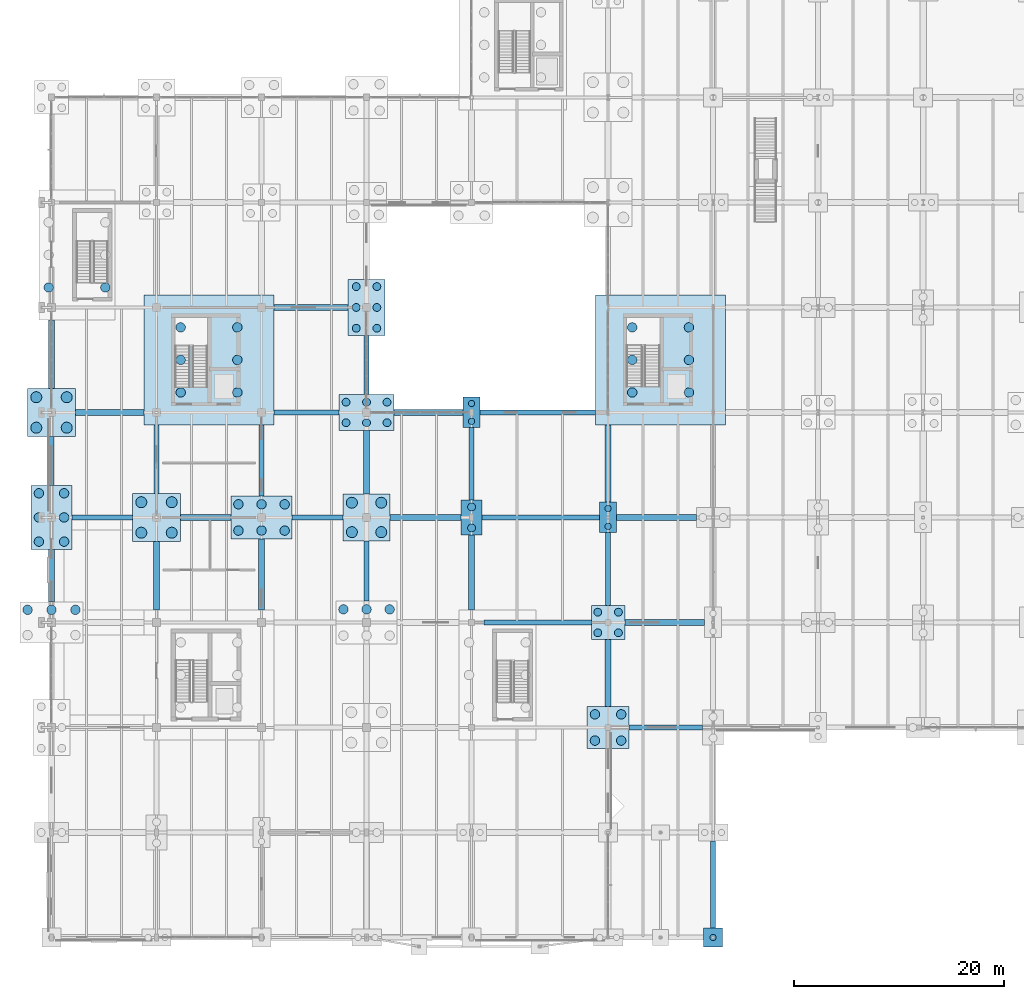
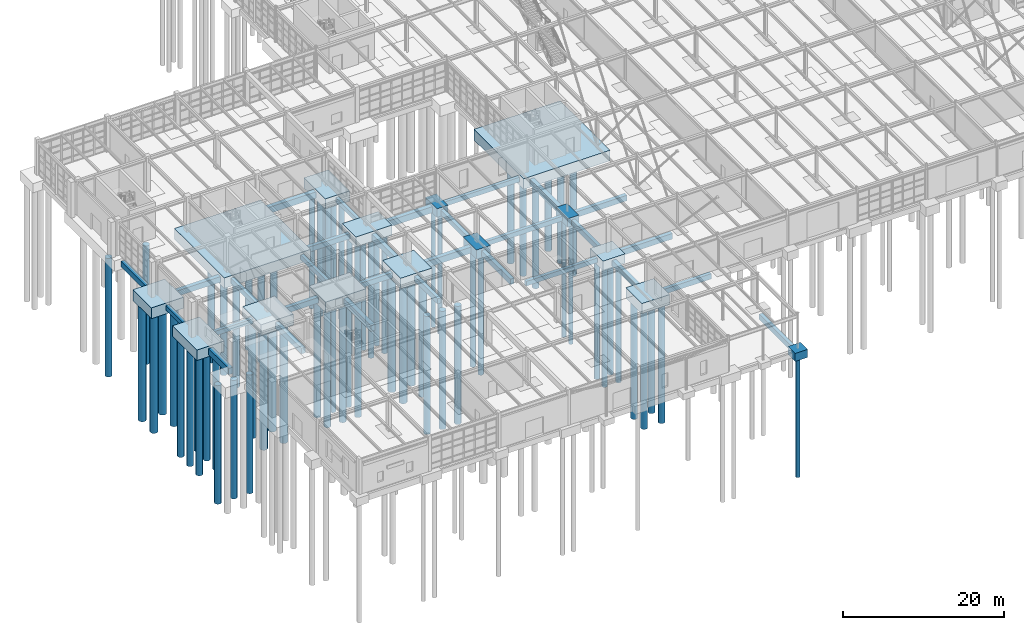
# One storey, part 2 of 145: 71 piles, 45 footings.
"""IFC4 building model written with IfcOpenShell, lengths in metres."""

from ifc_helpers import new_model, si_unit, direction, frame, origin, origin_2d, place, context, subcontext, project, spatial, rectangle, circle, extrude, material, material_profile, profile_set, type_object, element, save


model = new_model("IFC4")

# Units and contexts
model_context = context("Model", 3, precision=1e-05, world=origin(), true_north=direction((0.0, 1.0)))
body_context = subcontext(model_context, "Body", "Model", "MODEL_VIEW")
ifc_project = project(units=[si_unit("LENGTHUNIT", "METRE"), si_unit("AREAUNIT", "SQUARE_METRE"), si_unit("VOLUMEUNIT", "CUBIC_METRE"), si_unit("PLANEANGLEUNIT", "RADIAN"), si_unit("MASSUNIT", "GRAM", prefix="KILO"), si_unit("THERMODYNAMICTEMPERATUREUNIT", "KELVIN"), si_unit("POWERUNIT", "WATT")], contexts=[model_context])

# Site, building, storey
site_placement = place(None, origin())
site = spatial("IfcSite", under=ifc_project, at=site_placement, CompositionType="ELEMENT")
building_placement = place(site_placement, origin())
building = spatial("IfcBuilding", under=site, at=building_placement, Name="Korenveer Ferry Terminal", CompositionType="ELEMENT")
storey_placement = place(building_placement, origin())
storey = spatial("IfcBuildingStorey", under=building, at=storey_placement, Name="L00", CompositionType="ELEMENT", Elevation=0.0)

# Footings
ifc_material_1 = material(Name="Concrete C40/50", Category="concrete")
footing_type_1 = type_object("IfcFootingType", Name="STR-GB-01", PredefinedType="FOOTING_BEAM", material=ifc_material_1)
footing_1_placement = place(storey_placement, frame((58.5, 20.0, -1.14990234375), z_axis=(0.0, 0.0, 1.0), x_axis=(1.0, 0.0, 0.0)))
element("IfcFooting", 1, at=footing_1_placement, inside=storey, type_object=footing_type_1, Name="Ground tie beam 28", PredefinedType="FOOTING_BEAM", context=body_context, shape_type="SweptSolid", body=[
    extrude(rectangle(XDim=7.0, YDim=0.5, at=origin_2d()), origin(), (0.0, 0.0, 1.0), 0.800048828125),
])
footing_2_placement = place(storey_placement, frame((25.324951171875, 40.0, -1.14990234375), z_axis=(0.0, 0.0, 1.0), x_axis=(1.0, 0.0, 0.0)))
element("IfcFooting", 2, at=footing_2_placement, inside=storey, type_object=footing_type_1, Name="Ground tie beam 56", PredefinedType="FOOTING_BEAM", context=body_context, shape_type="SweptSolid", body=[
    extrude(rectangle(XDim=4.85009765625, YDim=0.5, at=origin_2d()), origin(), (0.0, 0.0, 1.0), 0.800048828125),
])
footing_3_placement = place(storey_placement, frame((24.300048828125, 50.0, -1.14990234375), z_axis=(0.0, 0.0, 1.0), x_axis=(1.0, 0.0, 0.0)))
element("IfcFooting", 3, at=footing_3_placement, inside=storey, type_object=footing_type_1, Name="Ground tie beam 72", PredefinedType="FOOTING_BEAM", context=body_context, shape_type="SweptSolid", body=[
    extrude(rectangle(XDim=6.199951171875, YDim=0.5, at=origin_2d()), origin(), (0.0, 0.0, 1.0), 0.800048828125),
])
footing_4_placement = place(storey_placement, frame((10.0, 45.550048828125, -1.14990234375), z_axis=(0.0, 0.0, 1.0), x_axis=(1.0, 0.0, 0.0)))
element("IfcFooting", 4, at=footing_4_placement, inside=storey, type_object=footing_type_1, Name="Ground tie beam 160", PredefinedType="FOOTING_BEAM", context=body_context, shape_type="SweptSolid", body=[
    extrude(rectangle(XDim=0.5, YDim=6.5, at=origin_2d()), origin(), (0.0, 0.0, 1.0), 0.800048828125),
])
footing_5_placement = place(storey_placement, frame((30.0, 34.89990234375, -1.14990234375), z_axis=(0.0, 0.0, 1.0), x_axis=(1.0, 0.0, 0.0)))
element("IfcFooting", 5, at=footing_5_placement, inside=storey, type_object=footing_type_1, Name="Ground tie beam 172", PredefinedType="FOOTING_BEAM", context=body_context, shape_type="SweptSolid", body=[
    extrude(rectangle(XDim=0.5, YDim=5.699951171875, at=origin_2d()), origin(), (0.0, 0.0, 1.0), 0.800048828125),
])
footing_6_placement = place(storey_placement, frame((40.0, 45.10009765625, -1.14990234375), z_axis=(0.0, 0.0, 1.0), x_axis=(1.0, 0.0, 0.0)))
element("IfcFooting", 6, at=footing_6_placement, inside=storey, type_object=footing_type_1, Name="Ground tie beam 180", PredefinedType="FOOTING_BEAM", context=body_context, shape_type="SweptSolid", body=[
    extrude(rectangle(XDim=0.5, YDim=6.89990234375, at=origin_2d()), origin(), (0.0, 0.0, 1.0), 0.800048828125),
])
footing_7_placement = place(storey_placement, frame((53.0, 35.074951171875, -1.14990234375), z_axis=(0.0, 0.0, 1.0), x_axis=(1.0, 0.0, 0.0)))
element("IfcFooting", 7, at=footing_7_placement, inside=storey, type_object=footing_type_1, Name="Ground tie beam 188", PredefinedType="FOOTING_BEAM", context=body_context, shape_type="SweptSolid", body=[
    extrude(rectangle(XDim=0.5, YDim=6.949951171875, at=origin_2d()), origin(), (0.0, 0.0, 1.0), 0.800048828125),
])
footing_8_placement = place(storey_placement, frame((63.0, 5.050048828125, -1.14990234375), z_axis=(0.0, 0.0, 1.0), x_axis=(1.0, 0.0, 0.0)))
element("IfcFooting", 8, at=footing_8_placement, inside=storey, type_object=footing_type_1, Name="Ground tie beam 196", PredefinedType="FOOTING_BEAM", context=body_context, shape_type="SweptSolid", body=[
    extrude(rectangle(XDim=0.5, YDim=8.300048828125, at=origin_2d()), origin(), (0.0, 0.0, 1.0), 0.800048828125),
])
footing_type_2 = type_object("IfcFootingType", Name="STR-GB-02", PredefinedType="FOOTING_BEAM", material=ifc_material_1)
footing_9_placement = place(storey_placement, frame((35.625, 40.0, -1.2998046875), z_axis=(0.0, 0.0, 1.0), x_axis=(1.0, 0.0, 0.0)))
element("IfcFooting", 9, at=footing_9_placement, inside=storey, type_object=footing_type_2, Name="Ground tie beam 57", PredefinedType="FOOTING_BEAM", context=body_context, shape_type="SweptSolid", body=[
    extrude(rectangle(XDim=6.75, YDim=0.60009765625, at=origin_2d()), origin(), (0.0, 0.0, 1.0), 0.949951171875),
])
footing_10_placement = place(storey_placement, frame((35.89990234375, 50.0, -1.2998046875), z_axis=(0.0, 0.0, 1.0), x_axis=(1.0, 0.0, 0.0)))
element("IfcFooting", 10, at=footing_10_placement, inside=storey, type_object=footing_type_2, Name="Ground tie beam 73", PredefinedType="FOOTING_BEAM", context=body_context, shape_type="SweptSolid", body=[
    extrude(rectangle(XDim=6.60009765625, YDim=0.60009765625, at=origin_2d()), origin(), (0.0, 0.0, 1.0), 0.949951171875),
])
footing_11_placement = place(storey_placement, frame((24.72509765625, 60.0, -1.2998046875), z_axis=(0.0, 0.0, 1.0), x_axis=(1.0, 0.0, 0.0)))
element("IfcFooting", 11, at=footing_11_placement, inside=storey, type_object=footing_type_2, Name="Ground tie beam 85", PredefinedType="FOOTING_BEAM", context=body_context, shape_type="SweptSolid", body=[
    extrude(rectangle(XDim=7.050048828125, YDim=0.60009765625, at=origin_2d()), origin(), (0.0, 0.0, 1.0), 0.949951171875),
])
footing_12_placement = place(storey_placement, frame((0.0, 34.449951171875, -1.2998046875), z_axis=(0.0, 0.0, 1.0), x_axis=(1.0, 0.0, 0.0)))
element("IfcFooting", 12, at=footing_12_placement, inside=storey, type_object=footing_type_2, Name="Ground tie beam 153", PredefinedType="FOOTING_BEAM", context=body_context, shape_type="SweptSolid", body=[
    extrude(rectangle(XDim=0.60009765625, YDim=5.0, at=origin_2d()), origin(), (0.0, 0.0, 1.0), 0.949951171875),
])
footing_13_placement = place(storey_placement, frame((20.0, 34.574951171875, -1.2998046875), z_axis=(0.0, 0.0, 1.0), x_axis=(1.0, 0.0, 0.0)))
element("IfcFooting", 13, at=footing_13_placement, inside=storey, type_object=footing_type_2, Name="Ground tie beam 165", PredefinedType="FOOTING_BEAM", context=body_context, shape_type="SweptSolid", body=[
    extrude(rectangle(XDim=0.60009765625, YDim=6.75, at=origin_2d()), origin(), (0.0, 0.0, 1.0), 0.949951171875),
])
footing_14_placement = place(storey_placement, frame((30.0, 45.27490234375, -1.2998046875), z_axis=(0.0, 0.0, 1.0), x_axis=(1.0, 0.0, 0.0)))
element("IfcFooting", 14, at=footing_14_placement, inside=storey, type_object=footing_type_2, Name="Ground tie beam 173", PredefinedType="FOOTING_BEAM", context=body_context, shape_type="SweptSolid", body=[
    extrude(rectangle(XDim=0.60009765625, YDim=6.050048828125, at=origin_2d()), origin(), (0.0, 0.0, 1.0), 0.949951171875),
])
footing_15_placement = place(storey_placement, frame((53.0, 45.125, -1.2998046875), z_axis=(0.0, 0.0, 1.0), x_axis=(1.0, 0.0, 0.0)))
element("IfcFooting", 15, at=footing_15_placement, inside=storey, type_object=footing_type_2, Name="Ground tie beam 189", PredefinedType="FOOTING_BEAM", context=body_context, shape_type="SweptSolid", body=[
    extrude(rectangle(XDim=0.60009765625, YDim=7.35009765625, at=origin_2d()), origin(), (0.0, 0.0, 1.0), 0.949951171875),
])
footing_type_3 = type_object("IfcFootingType", Name="STR-GB-03", PredefinedType="FOOTING_BEAM", material=ifc_material_1)
footing_16_placement = place(storey_placement, frame((46.300048828125, 30.0, -1.0498046875), z_axis=(0.0, 0.0, 1.0), x_axis=(1.0, 0.0, 0.0)))
element("IfcFooting", 16, at=footing_16_placement, inside=storey, type_object=footing_type_3, Name="Ground tie beam 42", PredefinedType="FOOTING_BEAM", context=body_context, shape_type="SweptSolid", body=[
    extrude(rectangle(XDim=10.199951171875, YDim=0.449951171875, at=origin_2d()), origin(), (0.0, 0.0, 1.0), 0.699951171875),
])
footing_17_placement = place(storey_placement, frame((4.824951171875, 40.0, -1.0498046875), z_axis=(0.0, 0.0, 1.0), x_axis=(1.0, 0.0, 0.0)))
element("IfcFooting", 17, at=footing_17_placement, inside=storey, type_object=footing_type_3, Name="Ground tie beam 54", PredefinedType="FOOTING_BEAM", context=body_context, shape_type="SweptSolid", body=[
    extrude(rectangle(XDim=5.75, YDim=0.449951171875, at=origin_2d()), origin(), (0.0, 0.0, 1.0), 0.699951171875),
])
footing_18_placement = place(storey_placement, frame((46.60009765625, 40.0, -1.0498046875), z_axis=(0.0, 0.0, 1.0), x_axis=(1.0, 0.0, 0.0)))
element("IfcFooting", 18, at=footing_18_placement, inside=storey, type_object=footing_type_3, Name="Ground tie beam 58", PredefinedType="FOOTING_BEAM", context=body_context, shape_type="SweptSolid", body=[
    extrude(rectangle(XDim=11.199951171875, YDim=0.449951171875, at=origin_2d()), origin(), (0.0, 0.0, 1.0), 0.699951171875),
])
footing_19_placement = place(storey_placement, frame((46.300048828125, 50.0, -1.0498046875), z_axis=(0.0, 0.0, 1.0), x_axis=(1.0, 0.0, 0.0)))
element("IfcFooting", 19, at=footing_19_placement, inside=storey, type_object=footing_type_3, Name="Ground tie beam 74", PredefinedType="FOOTING_BEAM", context=body_context, shape_type="SweptSolid", body=[
    extrude(rectangle(XDim=11.0, YDim=0.449951171875, at=origin_2d()), origin(), (0.0, 0.0, 1.0), 0.699951171875),
])
footing_20_placement = place(storey_placement, frame((0.0, 45.375, -1.0498046875), z_axis=(0.0, 0.0, 1.0), x_axis=(1.0, 0.0, 0.0)))
element("IfcFooting", 20, at=footing_20_placement, inside=storey, type_object=footing_type_3, Name="Ground tie beam 154", PredefinedType="FOOTING_BEAM", context=body_context, shape_type="SweptSolid", body=[
    extrude(rectangle(XDim=0.449951171875, YDim=4.64990234375, at=origin_2d()), origin(), (0.0, 0.0, 1.0), 0.699951171875),
])
footing_21_placement = place(storey_placement, frame((20.0, 45.425048828125, -1.0498046875), z_axis=(0.0, 0.0, 1.0), x_axis=(1.0, 0.0, 0.0)))
element("IfcFooting", 21, at=footing_21_placement, inside=storey, type_object=footing_type_3, Name="Ground tie beam 166", PredefinedType="FOOTING_BEAM", context=body_context, shape_type="SweptSolid", body=[
    extrude(rectangle(XDim=0.449951171875, YDim=6.75, at=origin_2d()), origin(), (0.0, 0.0, 1.0), 0.699951171875),
])
footing_22_placement = place(storey_placement, frame((30.0, 54.52490234375, -1.0498046875), z_axis=(0.0, 0.0, 1.0), x_axis=(1.0, 0.0, 0.0)))
element("IfcFooting", 22, at=footing_22_placement, inside=storey, type_object=footing_type_3, Name="Ground tie beam 174", PredefinedType="FOOTING_BEAM", context=body_context, shape_type="SweptSolid", body=[
    extrude(rectangle(XDim=0.449951171875, YDim=5.64990234375, at=origin_2d()), origin(), (0.0, 0.0, 1.0), 0.699951171875),
])
footing_type_4 = type_object("IfcFootingType", Name="STR-GB-04", PredefinedType="FOOTING_BEAM", material=ifc_material_1)
footing_23_placement = place(storey_placement, frame((58.39990234375, 30.0, -1.199951171875), z_axis=(0.0, 0.0, 1.0), x_axis=(1.0, 0.0, 0.0)))
element("IfcFooting", 23, at=footing_23_placement, inside=storey, type_object=footing_type_4, Name="Ground tie beam 43", PredefinedType="FOOTING_BEAM", context=body_context, shape_type="SweptSolid", body=[
    extrude(rectangle(XDim=7.60009765625, YDim=0.550048828125, at=origin_2d()), origin(), (0.0, 0.0, 1.0), 0.85009765625),
])
footing_24_placement = place(storey_placement, frame((14.699951171875, 40.0, -1.199951171875), z_axis=(0.0, 0.0, 1.0), x_axis=(1.0, 0.0, 0.0)))
element("IfcFooting", 24, at=footing_24_placement, inside=storey, type_object=footing_type_4, Name="Ground tie beam 55", PredefinedType="FOOTING_BEAM", context=body_context, shape_type="SweptSolid", body=[
    extrude(rectangle(XDim=4.800048828125, YDim=0.550048828125, at=origin_2d()), origin(), (0.0, 0.0, 1.0), 0.85009765625),
])
footing_25_placement = place(storey_placement, frame((57.60009765625, 40.0, -1.199951171875), z_axis=(0.0, 0.0, 1.0), x_axis=(1.0, 0.0, 0.0)))
element("IfcFooting", 25, at=footing_25_placement, inside=storey, type_object=footing_type_4, Name="Ground tie beam 59", PredefinedType="FOOTING_BEAM", context=body_context, shape_type="SweptSolid", body=[
    extrude(rectangle(XDim=7.60009765625, YDim=0.550048828125, at=origin_2d()), origin(), (0.0, 0.0, 1.0), 0.85009765625),
])
footing_26_placement = place(storey_placement, frame((5.550048828125, 50.0, -1.199951171875), z_axis=(0.0, 0.0, 1.0), x_axis=(1.0, 0.0, 0.0)))
element("IfcFooting", 26, at=footing_26_placement, inside=storey, type_object=footing_type_4, Name="Ground tie beam 71", PredefinedType="FOOTING_BEAM", context=body_context, shape_type="SweptSolid", body=[
    extrude(rectangle(XDim=6.5, YDim=0.550048828125, at=origin_2d()), origin(), (0.0, 0.0, 1.0), 0.85009765625),
])
for number, where, z_axis, x_axis, name in (
    (27, (0.0, 55.550048828125, -1.199951171875), (0.0, 0.0, 1.0), (1.0, 0.0, 0.0), "Ground tie beam 155"),
    (28, (10.0, 34.449951171875, -1.199951171875), (0.0, 0.0, 1.0), (1.0, 0.0, 0.0), "Ground tie beam 159"),
):
    element("IfcFooting", number, at=place(storey_placement, frame(where, z_axis=z_axis, x_axis=x_axis)), inside=storey, type_object=footing_type_4, Name=name, PredefinedType="FOOTING_BEAM", context=body_context, shape_type="SweptSolid", body=[
        extrude(rectangle(XDim=0.550048828125, YDim=6.5, at=origin_2d()), origin(), (0.0, 0.0, 1.0), 0.85009765625),
    ])
footing_27_placement = place(storey_placement, frame((40.0, 34.77490234375, -1.199951171875), z_axis=(0.0, 0.0, 1.0), x_axis=(1.0, 0.0, 0.0)))
element("IfcFooting", 29, at=footing_27_placement, inside=storey, type_object=footing_type_4, Name="Ground tie beam 179", PredefinedType="FOOTING_BEAM", context=body_context, shape_type="SweptSolid", body=[
    extrude(rectangle(XDim=0.550048828125, YDim=7.14990234375, at=origin_2d()), origin(), (0.0, 0.0, 1.0), 0.85009765625),
])
footing_28_placement = place(storey_placement, frame((53.0, 25.199951171875, -1.199951171875), z_axis=(0.0, 0.0, 1.0), x_axis=(1.0, 0.0, 0.0)))
element("IfcFooting", 30, at=footing_28_placement, inside=storey, type_object=footing_type_4, Name="Ground tie beam 187", PredefinedType="FOOTING_BEAM", context=body_context, shape_type="SweptSolid", body=[
    extrude(rectangle(XDim=0.550048828125, YDim=6.39990234375, at=origin_2d()), origin(), (0.0, 0.0, 1.0), 0.85009765625),
])
ifc_material_2 = material(Name="Concrete C45/55", Category="concrete")
footing_type_5 = type_object("IfcFootingType", Name="STR-PC-01", PredefinedType="PILE_CAP", material=ifc_material_2)
footing_29_placement = place(storey_placement, frame((63.0, 0.0, -1.2001953125), z_axis=(0.0, 0.0, 1.0), x_axis=(1.0, 0.0, 0.0)))
element("IfcFooting", 31, at=footing_29_placement, inside=storey, type_object=footing_type_5, Name="Pile cap PC-01 at (63,0)", PredefinedType="PILE_CAP", context=body_context, shape_type="SweptSolid", body=[
    extrude(rectangle(XDim=1.800048828125, YDim=1.800048828125, at=origin_2d()), origin(), (0.0, 0.0, 1.0), 1.199951171875),
])
footing_type_6 = type_object("IfcFootingType", Name="STR-PC-03", PredefinedType="PILE_CAP", material=ifc_material_2)
for number, where, z_axis, x_axis, name in (
    (32, (40.0, 50.0, -1.2998046875), (0.0, 0.0, 1.0), (1.0, 0.0, 0.0), "Pile cap PC-03 at (40,50)"),
    (33, (53.0, 40.0, -1.2998046875), (0.0, 0.0, 1.0), (1.0, 0.0, 0.0), "Pile cap PC-03 at (53,40)"),
):
    element("IfcFooting", number, at=place(storey_placement, frame(where, z_axis=z_axis, x_axis=x_axis)), inside=storey, type_object=footing_type_6, Name=name, PredefinedType="PILE_CAP", context=body_context, shape_type="SweptSolid", body=[
        extrude(rectangle(XDim=1.60009765625, YDim=2.89990234375, at=origin_2d()), origin(), (0.0, 0.0, 1.0), 1.300048828125),
    ])
footing_type_7 = type_object("IfcFootingType", Name="STR-PC-05", PredefinedType="PILE_CAP", material=ifc_material_2)
footing_30_placement = place(storey_placement, frame((40.0, 40.0, -1.39990234375), z_axis=(0.0, 0.0, 1.0), x_axis=(1.0, 0.0, 0.0)))
element("IfcFooting", 34, at=footing_30_placement, inside=storey, type_object=footing_type_7, Name="Pile cap PC-05 at (40,40)", PredefinedType="PILE_CAP", context=body_context, shape_type="SweptSolid", body=[
    extrude(rectangle(XDim=2.0, YDim=3.300048828125, at=origin_2d()), origin(), (0.0, 0.0, 1.0), 1.39990234375),
])
footing_type_8 = type_object("IfcFootingType", Name="STR-PC-06", PredefinedType="PILE_CAP", material=ifc_material_2)
footing_31_placement = place(storey_placement, frame((53.0, 30.0, -1.39990234375), z_axis=(0.0, 0.0, 1.0), x_axis=(1.0, 0.0, 0.0)))
element("IfcFooting", 35, at=footing_31_placement, inside=storey, type_object=footing_type_8, Name="Pile cap PC-06 at (53,30)", PredefinedType="PILE_CAP", context=body_context, shape_type="SweptSolid", body=[
    extrude(rectangle(XDim=3.199951171875, YDim=3.199951171875, at=origin_2d()), origin(), (0.0, 0.0, 1.0), 1.39990234375),
])
footing_type_9 = type_object("IfcFootingType", Name="STR-PC-09", PredefinedType="PILE_CAP", material=ifc_material_2)
footing_32_placement = place(storey_placement, frame((53.0, 20.0, -1.5498046875), z_axis=(0.0, 0.0, 1.0), x_axis=(1.0, 0.0, 0.0)))
element("IfcFooting", 36, at=footing_32_placement, inside=storey, type_object=footing_type_9, Name="Pile cap PC-09 at (53,20)", PredefinedType="PILE_CAP", context=body_context, shape_type="SweptSolid", body=[
    extrude(rectangle(XDim=4.0, YDim=4.0, at=origin_2d()), origin(), (0.0, 0.0, 1.0), 1.550048828125),
])
footing_type_10 = type_object("IfcFootingType", Name="STR-PC-10", PredefinedType="PILE_CAP", material=ifc_material_2)
footing_33_placement = place(storey_placement, frame((30.0, 40.0, -1.60009765625), z_axis=(0.0, 0.0, 1.0), x_axis=(1.0, 0.0, 0.0)))
element("IfcFooting", 37, at=footing_33_placement, inside=storey, type_object=footing_type_10, Name="Pile cap PC-10 at (30,40)", PredefinedType="PILE_CAP", context=body_context, shape_type="SweptSolid", body=[
    extrude(rectangle(XDim=4.5, YDim=4.5, at=origin_2d()), origin(), (0.0, 0.0, 1.0), 1.60009765625),
])
footing_type_11 = type_object("IfcFootingType", Name="STR-PC-11", PredefinedType="PILE_CAP", material=ifc_material_2)
footing_34_placement = place(storey_placement, frame((30.0, 50.0, -1.5498046875), z_axis=(0.0, 0.0, 1.0), x_axis=(1.0, 0.0, 0.0)))
element("IfcFooting", 38, at=footing_34_placement, inside=storey, type_object=footing_type_11, Name="Pile cap PC-11 at (30,50)", PredefinedType="PILE_CAP", context=body_context, shape_type="SweptSolid", body=[
    extrude(rectangle(XDim=5.199951171875, YDim=3.39990234375, at=origin_2d()), origin(), (0.0, 0.0, 1.0), 1.550048828125),
])
footing_type_12 = type_object("IfcFootingType", Name="STR-PC-12", PredefinedType="PILE_CAP", material=ifc_material_2)
footing_35_placement = place(storey_placement, frame((30.0, 60.0, -1.5498046875), z_axis=(0.0, 0.0, 1.0), x_axis=(1.0, 0.0, 0.0)))
element("IfcFooting", 39, at=footing_35_placement, inside=storey, type_object=footing_type_12, Name="Pile cap PC-12 at (30,60)", PredefinedType="PILE_CAP", context=body_context, shape_type="SweptSolid", body=[
    extrude(rectangle(XDim=3.5, YDim=5.300048828125, at=origin_2d()), origin(), (0.0, 0.0, 1.0), 1.550048828125),
])
footing_type_13 = type_object("IfcFootingType", Name="STR-PC-14", PredefinedType="PILE_CAP", material=ifc_material_2)
footing_36_placement = place(storey_placement, frame((0.0, 40.0, -1.60009765625), z_axis=(0.0, 0.0, 1.0), x_axis=(1.0, 0.0, 0.0)))
element("IfcFooting", 40, at=footing_36_placement, inside=storey, type_object=footing_type_13, Name="Pile cap PC-14 at (0,40)", PredefinedType="PILE_CAP", context=body_context, shape_type="SweptSolid", body=[
    extrude(rectangle(XDim=3.89990234375, YDim=6.10009765625, at=origin_2d()), origin(), (0.0, 0.0, 1.0), 1.60009765625),
])
footing_type_14 = type_object("IfcFootingType", Name="STR-PC-15", PredefinedType="PILE_CAP", material=ifc_material_2)
for number, where, z_axis, x_axis, name in (
    (41, (0.0, 50.0, -1.64990234375), (0.0, 0.0, 1.0), (1.0, 0.0, 0.0), "Pile cap PC-15 at (0,50)"),
    (42, (10.0, 40.0, -1.64990234375), (0.0, 0.0, 1.0), (1.0, 0.0, 0.0), "Pile cap PC-15 at (10,40)"),
):
    element("IfcFooting", number, at=place(storey_placement, frame(where, z_axis=z_axis, x_axis=x_axis)), inside=storey, type_object=footing_type_14, Name=name, PredefinedType="PILE_CAP", context=body_context, shape_type="SweptSolid", body=[
        extrude(rectangle(XDim=4.60009765625, YDim=4.60009765625, at=origin_2d()), origin(), (0.0, 0.0, 1.0), 1.64990234375),
    ])
footing_type_15 = type_object("IfcFootingType", Name="STR-PC-16", PredefinedType="PILE_CAP", material=ifc_material_2)
footing_37_placement = place(storey_placement, frame((20.0, 40.0, -1.64990234375), z_axis=(0.0, 0.0, 1.0), x_axis=(1.0, 0.0, 0.0)))
element("IfcFooting", 43, at=footing_37_placement, inside=storey, type_object=footing_type_15, Name="Pile cap PC-16 at (20,40)", PredefinedType="PILE_CAP", context=body_context, shape_type="SweptSolid", body=[
    extrude(rectangle(XDim=5.800048828125, YDim=4.10009765625, at=origin_2d()), origin(), (0.0, 0.0, 1.0), 1.64990234375),
])
footing_type_16 = type_object("IfcFootingType", Name="STR-PC-MAT-K2", PredefinedType="PILE_CAP", material=ifc_material_2)
footing_38_placement = place(storey_placement, frame((15.0, 55.0, -1.60009765625), z_axis=(0.0, 0.0, 1.0), x_axis=(1.0, 0.0, 0.0)))
element("IfcFooting", 44, at=footing_38_placement, inside=storey, type_object=footing_type_16, Name="Core pile cap mat K2", PredefinedType="PILE_CAP", context=body_context, shape_type="SweptSolid", body=[
    extrude(rectangle(XDim=12.39990234375, YDim=12.39990234375, at=origin_2d()), origin(), (0.0, 0.0, 1.0), 1.60009765625),
])
footing_type_17 = type_object("IfcFootingType", Name="STR-PC-MAT-K5", PredefinedType="PILE_CAP", material=ifc_material_2)
footing_39_placement = place(storey_placement, frame((58.0, 55.0, -1.60009765625), z_axis=(0.0, 0.0, 1.0), x_axis=(1.0, 0.0, 0.0)))
element("IfcFooting", 45, at=footing_39_placement, inside=storey, type_object=footing_type_17, Name="Core pile cap mat K5", PredefinedType="PILE_CAP", context=body_context, shape_type="SweptSolid", body=[
    extrude(rectangle(XDim=12.39990234375, YDim=12.39990234375, at=origin_2d()), origin(), (0.0, 0.0, 1.0), 1.60009765625),
])

# Piles
ifc_material_profile_1 = material_profile(ifc_material_1, circle(Radius=0.52490234375, at=origin_2d()), Name="PILE D1050")
ifc_profile_set_1 = profile_set([ifc_material_profile_1], Name="Concrete C40/50")
pile_type_1 = type_object("IfcPileType", Name="STR-PL-D1050", PredefinedType="BORED", material=ifc_profile_set_1)
for number, where, z_axis, x_axis, name in (
    (46, (-1.449951171875, 48.550048828125, -1.550048828125), (0.0, 0.0, -1.0), (1.0, 0.0, 0.0), "Foundation pile 94"),
    (47, (1.449951171875, 48.550048828125, -1.550048828125), (0.0, 0.0, -1.0), (1.0, 0.0, 0.0), "Foundation pile 95"),
    (48, (-1.449951171875, 51.449951171875, -1.550048828125), (0.0, 0.0, -1.0), (1.0, 0.0, 0.0), "Foundation pile 96"),
    (49, (1.449951171875, 51.449951171875, -1.550048828125), (0.0, 0.0, -1.0), (1.0, 0.0, 0.0), "Foundation pile 97"),
    (50, (8.550048828125, 38.550048828125, -1.550048828125), (0.0, 0.0, -1.0), (1.0, 0.0, 0.0), "Foundation pile 106"),
    (51, (11.449951171875, 38.550048828125, -1.550048828125), (0.0, 0.0, -1.0), (1.0, 0.0, 0.0), "Foundation pile 107"),
    (52, (8.550048828125, 41.449951171875, -1.550048828125), (0.0, 0.0, -1.0), (1.0, 0.0, 0.0), "Foundation pile 108"),
    (53, (11.449951171875, 41.449951171875, -1.550048828125), (0.0, 0.0, -1.0), (1.0, 0.0, 0.0), "Foundation pile 109"),
):
    element("IfcPile", number, at=place(storey_placement, frame(where, z_axis=z_axis, x_axis=x_axis)), inside=storey, type_object=pile_type_1, Name=name, PredefinedType="BORED", context=body_context, shape_type="SweptSolid", body=[
        extrude(circle(Radius=0.52490234375, at=origin_2d()), origin(), (0.0, 0.0, 1.0), 17.949951171875),
    ])
for number, where, z_axis, x_axis, name in (
    (54, (28.60009765625, 38.60009765625, -1.5), (0.0, 0.0, -1.0), (1.0, 0.0, 0.0), "Foundation pile 149"),
    (55, (31.39990234375, 38.60009765625, -1.5), (0.0, 0.0, -1.0), (1.0, 0.0, 0.0), "Foundation pile 150"),
    (56, (28.60009765625, 41.39990234375, -1.5), (0.0, 0.0, -1.0), (1.0, 0.0, 0.0), "Foundation pile 151"),
    (57, (31.39990234375, 41.39990234375, -1.5), (0.0, 0.0, -1.0), (1.0, 0.0, 0.0), "Foundation pile 152"),
):
    element("IfcPile", number, at=place(storey_placement, frame(where, z_axis=z_axis, x_axis=x_axis)), inside=storey, type_object=pile_type_1, Name=name, PredefinedType="BORED", context=body_context, shape_type="SweptSolid", body=[
        extrude(circle(Radius=0.52490234375, at=origin_2d()), origin(), (0.0, 0.0, 1.0), 18.0),
    ])
ifc_material_profile_2 = material_profile(ifc_material_1, circle(Radius=0.300048828125, at=origin_2d()), Name="PILE D600")
ifc_profile_set_2 = profile_set([ifc_material_profile_2], Name="Concrete C40/50")
pile_type_2 = type_object("IfcPileType", Name="STR-PL-D600", PredefinedType="DRIVEN", material=ifc_profile_set_2)
for number, where, z_axis, x_axis, name in (
    (58, (40.0, 49.14990234375, -1.199951171875), (0.0, 0.0, -1.0), (1.0, 0.0, 0.0), "Foundation pile 178"),
    (59, (40.0, 50.85009765625, -1.199951171875), (0.0, 0.0, -1.0), (1.0, 0.0, 0.0), "Foundation pile 179"),
    (60, (53.0, 39.14990234375, -1.199951171875), (0.0, 0.0, -1.0), (1.0, 0.0, 0.0), "Foundation pile 207"),
    (61, (53.0, 40.85009765625, -1.199951171875), (0.0, 0.0, -1.0), (1.0, 0.0, 0.0), "Foundation pile 208"),
):
    element("IfcPile", number, at=place(storey_placement, frame(where, z_axis=z_axis, x_axis=x_axis)), inside=storey, type_object=pile_type_2, Name=name, PredefinedType="DRIVEN", context=body_context, shape_type="SweptSolid", body=[
        extrude(circle(Radius=0.300048828125, at=origin_2d()), origin(), (0.0, 0.0, 1.0), 18.300048828125),
    ])
pile_placement = place(storey_placement, frame((63.0, 0.0, -1.10009765625), z_axis=(0.0, 0.0, -1.0), x_axis=(1.0, 0.0, 0.0)))
element("IfcPile", 62, at=pile_placement, inside=storey, type_object=pile_type_2, Name="Foundation pile 233", PredefinedType="DRIVEN", context=body_context, shape_type="SweptSolid", body=[
    extrude(circle(Radius=0.300048828125, at=origin_2d()), origin(), (0.0, 0.0, 1.0), 18.39990234375),
])
ifc_material_profile_3 = material_profile(ifc_material_1, circle(Radius=0.375, at=origin_2d()), Name="PILE D750")
ifc_profile_set_3 = profile_set([ifc_material_profile_3], Name="Concrete C40/50")
pile_type_3 = type_object("IfcPileType", Name="STR-PL-D750", PredefinedType="BORED", material=ifc_profile_set_3)
for number, where, z_axis, x_axis, name in (
    (63, (28.050048828125, 49.02001953125, -1.449951171875), (0.0, 0.0, -1.0), (1.0, 0.0, 0.0), "Foundation pile 153"),
    (64, (30.0, 49.02001953125, -1.449951171875), (0.0, 0.0, -1.0), (1.0, 0.0, 0.0), "Foundation pile 154"),
    (65, (31.949951171875, 49.02001953125, -1.449951171875), (0.0, 0.0, -1.0), (1.0, 0.0, 0.0), "Foundation pile 155"),
    (66, (28.050048828125, 50.97998046875, -1.449951171875), (0.0, 0.0, -1.0), (1.0, 0.0, 0.0), "Foundation pile 156"),
    (67, (30.0, 50.97998046875, -1.449951171875), (0.0, 0.0, -1.0), (1.0, 0.0, 0.0), "Foundation pile 157"),
    (68, (31.949951171875, 50.97998046875, -1.449951171875), (0.0, 0.0, -1.0), (1.0, 0.0, 0.0), "Foundation pile 158"),
    (69, (29.02001953125, 58.02001953125, -1.449951171875), (0.0, 0.0, -1.0), (1.0, 0.0, 0.0), "Foundation pile 159"),
    (70, (30.97998046875, 58.02001953125, -1.449951171875), (0.0, 0.0, -1.0), (1.0, 0.0, 0.0), "Foundation pile 160"),
    (71, (29.02001953125, 60.0, -1.449951171875), (0.0, 0.0, -1.0), (1.0, 0.0, 0.0), "Foundation pile 161"),
    (72, (30.97998046875, 60.0, -1.449951171875), (0.0, 0.0, -1.0), (1.0, 0.0, 0.0), "Foundation pile 162"),
    (73, (29.02001953125, 61.97998046875, -1.449951171875), (0.0, 0.0, -1.0), (1.0, 0.0, 0.0), "Foundation pile 163"),
    (74, (30.97998046875, 61.97998046875, -1.449951171875), (0.0, 0.0, -1.0), (1.0, 0.0, 0.0), "Foundation pile 164"),
):
    element("IfcPile", number, at=place(storey_placement, frame(where, z_axis=z_axis, x_axis=x_axis)), inside=storey, type_object=pile_type_3, Name=name, PredefinedType="BORED", context=body_context, shape_type="SweptSolid", body=[
        extrude(circle(Radius=0.375, at=origin_2d()), origin(), (0.0, 0.0, 1.0), 18.050048828125),
    ])
for number, where, z_axis, x_axis, name in (
    (75, (40.0, 39.0, -1.300048828125), (0.0, 0.0, -1.0), (1.0, 0.0, 0.0), "Foundation pile 176"),
    (76, (40.0, 41.0, -1.300048828125), (0.0, 0.0, -1.0), (1.0, 0.0, 0.0), "Foundation pile 177"),
    (77, (52.02001953125, 29.02001953125, -1.300048828125), (0.0, 0.0, -1.0), (1.0, 0.0, 0.0), "Foundation pile 203"),
    (78, (53.97998046875, 29.02001953125, -1.300048828125), (0.0, 0.0, -1.0), (1.0, 0.0, 0.0), "Foundation pile 204"),
    (79, (52.02001953125, 30.97998046875, -1.300048828125), (0.0, 0.0, -1.0), (1.0, 0.0, 0.0), "Foundation pile 205"),
    (80, (53.97998046875, 30.97998046875, -1.300048828125), (0.0, 0.0, -1.0), (1.0, 0.0, 0.0), "Foundation pile 206"),
):
    element("IfcPile", number, at=place(storey_placement, frame(where, z_axis=z_axis, x_axis=x_axis)), inside=storey, type_object=pile_type_3, Name=name, PredefinedType="BORED", context=body_context, shape_type="SweptSolid", body=[
        extrude(circle(Radius=0.375, at=origin_2d()), origin(), (0.0, 0.0, 1.0), 18.199951171875),
    ])
ifc_material_profile_4 = material_profile(ifc_material_1, circle(Radius=0.449951171875, at=origin_2d()), Name="PILE D900")
ifc_profile_set_4 = profile_set([ifc_material_profile_4], Name="Concrete C40/50")
pile_type_4 = type_object("IfcPileType", Name="STR-PL-D900", PredefinedType="BORED", material=ifc_profile_set_4)
for number, where, z_axis, x_axis, name in (
    (81, (12.300048828125, 51.89990234375, -1.5), (0.0, 0.0, -1.0), (1.0, 0.0, 0.0), "Core foundation pile 7"),
    (82, (17.699951171875, 51.89990234375, -1.5), (0.0, 0.0, -1.0), (1.0, 0.0, 0.0), "Core foundation pile 8"),
    (83, (12.300048828125, 55.0, -1.5), (0.0, 0.0, -1.0), (1.0, 0.0, 0.0), "Core foundation pile 9"),
    (84, (17.699951171875, 55.0, -1.5), (0.0, 0.0, -1.0), (1.0, 0.0, 0.0), "Core foundation pile 10"),
    (85, (12.300048828125, 58.10009765625, -1.5), (0.0, 0.0, -1.0), (1.0, 0.0, 0.0), "Core foundation pile 11"),
    (86, (17.699951171875, 58.10009765625, -1.5), (0.0, 0.0, -1.0), (1.0, 0.0, 0.0), "Core foundation pile 12"),
    (87, (55.300048828125, 51.89990234375, -1.5), (0.0, 0.0, -1.0), (1.0, 0.0, 0.0), "Core foundation pile 25"),
    (88, (60.699951171875, 51.89990234375, -1.5), (0.0, 0.0, -1.0), (1.0, 0.0, 0.0), "Core foundation pile 26"),
    (89, (55.300048828125, 55.0, -1.5), (0.0, 0.0, -1.0), (1.0, 0.0, 0.0), "Core foundation pile 27"),
    (90, (60.699951171875, 55.0, -1.5), (0.0, 0.0, -1.0), (1.0, 0.0, 0.0), "Core foundation pile 28"),
    (91, (55.300048828125, 58.10009765625, -1.5), (0.0, 0.0, -1.0), (1.0, 0.0, 0.0), "Core foundation pile 29"),
    (92, (60.699951171875, 58.10009765625, -1.5), (0.0, 0.0, -1.0), (1.0, 0.0, 0.0), "Core foundation pile 30"),
    (93, (-0.27001953125, 61.89990234375, -1.5), (0.0, 0.0, -1.0), (1.0, 0.0, 0.0), "Core foundation pile 61"),
    (94, (5.1298828125, 61.89990234375, -1.5), (0.0, 0.0, -1.0), (1.0, 0.0, 0.0), "Core foundation pile 62"),
    (95, (-2.280029296875, 31.199951171875, -1.5), (0.0, 0.0, -1.0), (1.0, 0.0, 0.0), "Foundation pile 85"),
    (96, (0.0, 31.199951171875, -1.5), (0.0, 0.0, -1.0), (1.0, 0.0, 0.0), "Foundation pile 86"),
    (97, (2.280029296875, 31.199951171875, -1.5), (0.0, 0.0, -1.0), (1.0, 0.0, 0.0), "Foundation pile 87"),
    (98, (-1.199951171875, 37.699951171875, -1.5), (0.0, 0.0, -1.0), (1.0, 0.0, 0.0), "Foundation pile 88"),
    (99, (1.199951171875, 37.699951171875, -1.5), (0.0, 0.0, -1.0), (1.0, 0.0, 0.0), "Foundation pile 89"),
    (100, (-1.199951171875, 40.0, -1.5), (0.0, 0.0, -1.0), (1.0, 0.0, 0.0), "Foundation pile 90"),
    (101, (1.199951171875, 40.0, -1.5), (0.0, 0.0, -1.0), (1.0, 0.0, 0.0), "Foundation pile 91"),
    (102, (-1.199951171875, 42.300048828125, -1.5), (0.0, 0.0, -1.0), (1.0, 0.0, 0.0), "Foundation pile 92"),
    (103, (1.199951171875, 42.300048828125, -1.5), (0.0, 0.0, -1.0), (1.0, 0.0, 0.0), "Foundation pile 93"),
):
    element("IfcPile", number, at=place(storey_placement, frame(where, z_axis=z_axis, x_axis=x_axis)), inside=storey, type_object=pile_type_4, Name=name, PredefinedType="BORED", context=body_context, shape_type="SweptSolid", body=[
        extrude(circle(Radius=0.449951171875, at=origin_2d()), origin(), (0.0, 0.0, 1.0), 18.0),
    ])
for number, where, z_axis, x_axis, name in (
    (104, (17.800048828125, 38.75, -1.550048828125), (0.0, 0.0, -1.0), (1.0, 0.0, 0.0), "Foundation pile 121"),
    (105, (20.0, 38.75, -1.550048828125), (0.0, 0.0, -1.0), (1.0, 0.0, 0.0), "Foundation pile 122"),
    (106, (22.199951171875, 38.75, -1.550048828125), (0.0, 0.0, -1.0), (1.0, 0.0, 0.0), "Foundation pile 123"),
    (107, (17.800048828125, 41.25, -1.550048828125), (0.0, 0.0, -1.0), (1.0, 0.0, 0.0), "Foundation pile 124"),
    (108, (20.0, 41.25, -1.550048828125), (0.0, 0.0, -1.0), (1.0, 0.0, 0.0), "Foundation pile 125"),
    (109, (22.199951171875, 41.25, -1.550048828125), (0.0, 0.0, -1.0), (1.0, 0.0, 0.0), "Foundation pile 126"),
    (110, (27.800048828125, 31.25, -1.550048828125), (0.0, 0.0, -1.0), (1.0, 0.0, 0.0), "Foundation pile 146"),
    (111, (30.0, 31.25, -1.550048828125), (0.0, 0.0, -1.0), (1.0, 0.0, 0.0), "Foundation pile 147"),
    (112, (32.199951171875, 31.25, -1.550048828125), (0.0, 0.0, -1.0), (1.0, 0.0, 0.0), "Foundation pile 148"),
):
    element("IfcPile", number, at=place(storey_placement, frame(where, z_axis=z_axis, x_axis=x_axis)), inside=storey, type_object=pile_type_4, Name=name, PredefinedType="BORED", context=body_context, shape_type="SweptSolid", body=[
        extrude(circle(Radius=0.449951171875, at=origin_2d()), origin(), (0.0, 0.0, 1.0), 17.949951171875),
    ])
for number, where, z_axis, x_axis, name in (
    (113, (51.75, 18.75, -1.449951171875), (0.0, 0.0, -1.0), (1.0, 0.0, 0.0), "Foundation pile 199"),
    (114, (54.25, 18.75, -1.449951171875), (0.0, 0.0, -1.0), (1.0, 0.0, 0.0), "Foundation pile 200"),
    (115, (51.75, 21.25, -1.449951171875), (0.0, 0.0, -1.0), (1.0, 0.0, 0.0), "Foundation pile 201"),
    (116, (54.25, 21.25, -1.449951171875), (0.0, 0.0, -1.0), (1.0, 0.0, 0.0), "Foundation pile 202"),
):
    element("IfcPile", number, at=place(storey_placement, frame(where, z_axis=z_axis, x_axis=x_axis)), inside=storey, type_object=pile_type_4, Name=name, PredefinedType="BORED", context=body_context, shape_type="SweptSolid", body=[
        extrude(circle(Radius=0.449951171875, at=origin_2d()), origin(), (0.0, 0.0, 1.0), 18.050048828125),
    ])

save(model, "model.ifc")
